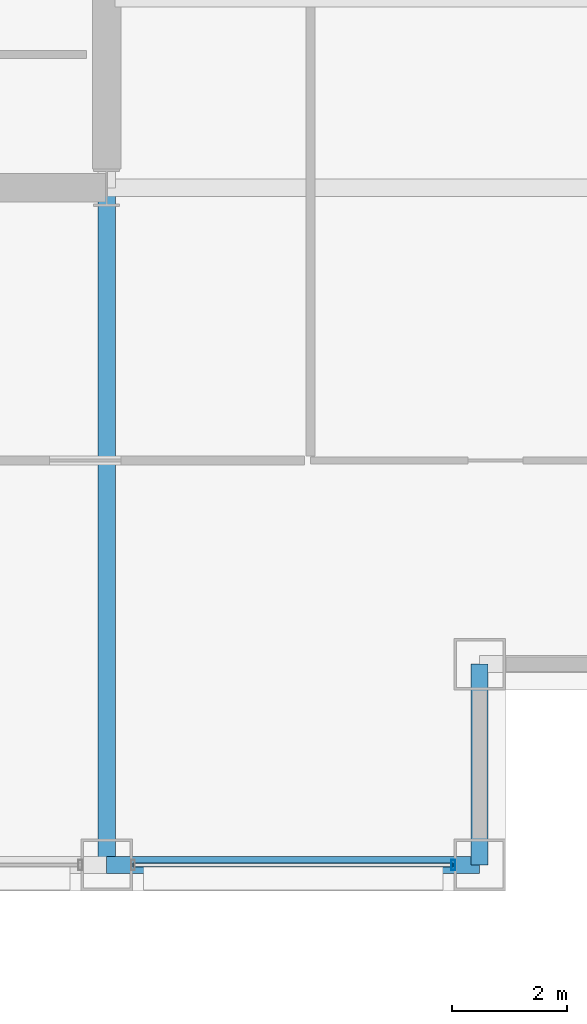
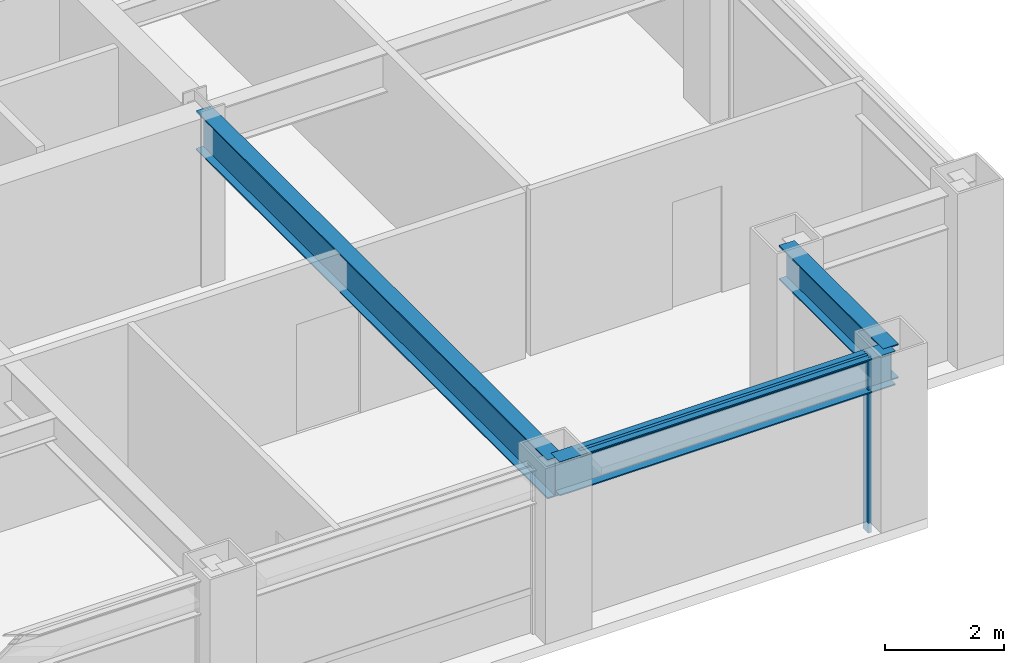
# One storey, part 10 of 30: 3 beams, 2 members, 1 element without a shape of its own.
"""IFC4 building model written with IfcOpenShell, lengths in metres."""

import ifcopenshell
import ifcopenshell.guid

model = None  # the IFC model being written
_history = None  # IfcOwnerHistory: only IFC2X3 demands one
_inside = {}  # id of a spatial element -> (the spatial element, [elements in it])
_under = {}  # id of a project, library or spatial element -> (it, [spatial elements below it])
_declared = {}  # id of a project -> (the project, [libraries it declares])
_typed = {}  # id of a type object -> (the type object, [elements of that type])
_made_of = {}  # id of a material, layer set ... -> (it, [elements and type objects made of it])


def new_model(schema):
    """Start an empty IFC model of exactly this schema.

    Asked for "IFC4X3", IfcOpenShell would pick the latest addendum, in which some entities
    have other attributes; the version numbers below select the first issue.
    IFC2X3 requires an IfcOwnerHistory on every rooted entity: one is made here for all.
    """
    global model, _history
    if schema == "IFC4X3":
        model = ifcopenshell.file(schema_version=(4, 3, 0, 0))
    else:
        model = ifcopenshell.file(schema=schema)
    _inside.clear()
    _under.clear()
    _declared.clear()
    _typed.clear()
    _made_of.clear()
    _history = None
    if model.schema == "IFC2X3":
        org = make("IfcOrganization", Name="unknown")
        user = make(
            "IfcPersonAndOrganization",
            ThePerson=make("IfcPerson", FamilyName="unknown"),
            TheOrganization=org,
        )
        app = make(
            "IfcApplication",
            ApplicationDeveloper=org,
            Version="unknown",
            ApplicationFullName="unknown",
            ApplicationIdentifier="unknown",
        )
        _history = make(
            "IfcOwnerHistory",
            OwningUser=user,
            OwningApplication=app,
            ChangeAction="ADDED",
            CreationDate=0,
        )
    return model


def make(cls, **values):
    """One entity of the class cls with the attributes given. An attribute that is None is left unset."""
    return model.create_entity(
        cls, **{name: value for name, value in values.items() if value is not None}
    )


def rooted(cls, **values):
    """An entity with a GlobalId (a new one), such as an element, a storey or a relation."""
    return make(cls, GlobalId=ifcopenshell.guid.new(), OwnerHistory=_history, **values)


def si_unit(unit_type, name, prefix=None):
    """IfcSIUnit, for example si_unit("LENGTHUNIT", "METRE", prefix="MILLI")."""
    return make("IfcSIUnit", UnitType=unit_type, Prefix=prefix, Name=name)


def assignment(units):
    """IfcUnitAssignment: the units of a project."""
    return None if units is None else make("IfcUnitAssignment", Units=units)


def point(xyz):
    """IfcCartesianPoint."""
    return None if xyz is None else make("IfcCartesianPoint", Coordinates=xyz)


def direction(xyz):
    """IfcDirection."""
    return None if xyz is None else make("IfcDirection", DirectionRatios=xyz)


def frame(location, z_axis=None, x_axis=None):
    """IfcAxis2Placement3D, a coordinate frame: its origin and axes. An axis left out is left unset."""
    return make(
        "IfcAxis2Placement3D",
        Location=point(location),
        Axis=direction(z_axis),
        RefDirection=direction(x_axis),
    )


def frame_2d(location, x_axis=None):
    """IfcAxis2Placement2D, a coordinate frame in the plane: its origin and x axis."""
    return make(
        "IfcAxis2Placement2D", Location=point(location), RefDirection=direction(x_axis)
    )


def origin():
    """The frame at (0, 0, 0) with its axes left unset."""
    return frame((0.0, 0.0, 0.0))


def origin_2d():
    """The frame at (0, 0) in the plane with its x axis left unset."""
    return frame_2d((0.0, 0.0))


def place(relative_to, where):
    """IfcLocalPlacement: puts the frame where relative to a parent placement (None: the world)."""
    return make(
        "IfcLocalPlacement", PlacementRelTo=relative_to, RelativePlacement=where
    )


def context(
    kind, dimensions, precision=None, world=None, true_north=None, identifier=None
):
    """IfcGeometricRepresentationContext, for example the 3D "Model" context."""
    return make(
        "IfcGeometricRepresentationContext",
        ContextIdentifier=identifier,
        ContextType=kind,
        CoordinateSpaceDimension=dimensions,
        Precision=precision,
        WorldCoordinateSystem=world,
        TrueNorth=true_north,
    )


def subcontext(parent, identifier, kind, view, scale=None):
    """IfcGeometricRepresentationSubContext, for example "Body" below "Model"."""
    return make(
        "IfcGeometricRepresentationSubContext",
        ContextIdentifier=identifier,
        ContextType=kind,
        ParentContext=parent,
        TargetScale=scale,
        TargetView=view,
    )


def project(units=None, contexts=None):
    """IfcProject with its units and contexts."""
    return rooted(
        "IfcProject",
        Name="project",
        RepresentationContexts=contexts,
        UnitsInContext=assignment(units),
    )


def spatial(cls, under=None, at=None, **own):
    """A site, building, storey or space (cls), placed at a placement, below another one or the project."""
    s = rooted(cls, ObjectPlacement=at, **own)
    if under is not None:
        _under.setdefault(under.id(), (under, []))[1].append(s)
    return s


def profile(cls, at=None, kind="AREA", **sizes):
    """A parametric profile (cls). Its sizes go by their IFC names, for example OverallWidth=200.0."""
    return make(cls, ProfileType=kind, Position=at, **sizes)


def hollow_rectangle(**sizes):
    """IfcRectangleHollowProfileDef."""
    return profile("IfcRectangleHollowProfileDef", **sizes)


def i_section(**sizes):
    """IfcIShapeProfileDef."""
    return profile("IfcIShapeProfileDef", **sizes)


def extrude(swept, where, along, depth):
    """IfcExtrudedAreaSolid: the profile swept, set in the frame where, extruded along a direction by depth."""
    return make(
        "IfcExtrudedAreaSolid",
        SweptArea=swept,
        Position=where,
        ExtrudedDirection=direction(along),
        Depth=depth,
    )


def shape(context_of_items, identifier, shape_type, items):
    """IfcShapeRepresentation: the items that make up one representation, for example the "Body"."""
    return make(
        "IfcShapeRepresentation",
        ContextOfItems=context_of_items,
        RepresentationIdentifier=identifier,
        RepresentationType=shape_type,
        Items=items,
    )


def material(Name=None, Category=None):
    """IfcMaterial."""
    return make("IfcMaterial", Name=Name, Category=Category)


def layer(
    of_material, thickness, ventilated=None, Name=None, Category=None, Priority=None
):
    """IfcMaterialLayer: one layer of a wall or slab, of a material (None: an air gap)."""
    return make(
        "IfcMaterialLayer",
        Material=of_material,
        LayerThickness=thickness,
        IsVentilated=ventilated,
        Name=Name,
        Category=Category,
        Priority=Priority,
    )


def layer_set(layers, Name=None):
    """IfcMaterialLayerSet."""
    return make("IfcMaterialLayerSet", MaterialLayers=layers, LayerSetName=Name)


def material_profile(
    of_material, cross_section, Name=None, Category=None, Priority=None
):
    """IfcMaterialProfile: a cross section and its material."""
    return make(
        "IfcMaterialProfile",
        Name=Name,
        Material=of_material,
        Profile=cross_section,
        Priority=Priority,
        Category=Category,
    )


def profile_set(profiles, Name=None, composite=None):
    """IfcMaterialProfileSet."""
    return make(
        "IfcMaterialProfileSet",
        Name=Name,
        MaterialProfiles=profiles,
        CompositeProfile=composite,
    )


def made_of(thing, what):
    """Note that an element or type object is made of a material, layer set ...; save() writes the relation."""
    if what is not None:
        _made_of.setdefault(what.id(), (what, []))[1].append(thing)
    return thing


def type_object(cls, material=None, **own):
    """A type object (cls), such as IfcWallType, which elements share."""
    return made_of(rooted(cls, **own), material)


def element(
    cls,
    number,
    at=None,
    inside=None,
    cuts=None,
    type_object=None,
    material=None,
    context=None,
    identifier="Body",
    shape_type=None,
    held_by="IfcProductDefinitionShape",
    body=None,
    shapes=None,
    **own,
):
    """One element of the class cls, such as IfcWall. Its Tag is "e" and its number.

    at: its placement. inside: the storey or other place that contains it. cuts: it is an
    opening in that element (IfcRelVoidsElement). A single representation is given by context,
    identifier, shape_type and body (its items); several are given by shapes. held_by: the class
    of the entity that holds the representations. save() writes the other relations.
    """
    e = rooted(cls, Tag="e%d" % number, ObjectPlacement=at, **own)
    if body is not None:
        shapes = [shape(context, identifier, shape_type, body)]
    if shapes is not None:
        e.Representation = make(held_by, Representations=shapes)
    if inside is not None:
        _inside.setdefault(inside.id(), (inside, []))[1].append(e)
    if cuts is not None:
        rooted(
            "IfcRelVoidsElement", RelatingBuildingElement=cuts, RelatedOpeningElement=e
        )
    if type_object is not None:
        _typed.setdefault(type_object.id(), (type_object, []))[1].append(e)
    return made_of(e, material)


def aggregate(whole, parts):
    """IfcRelAggregates: a whole, such as a stair, and the parts it consists of."""
    return rooted("IfcRelAggregates", RelatingObject=whole, RelatedObjects=parts)


def save(model, path):
    """Write the relations noted so far, then the file.

    IfcRelAggregates (storeys below a building ...), IfcRelContainedInSpatialStructure (elements
    in a storey), IfcRelDefinesByType, IfcRelAssociatesMaterial and IfcRelDeclares: one each for
    every whole, place, type object, material and project.
    """
    for whole, parts in _under.values():
        aggregate(whole, parts)
    for where, things in _inside.values():
        rooted(
            "IfcRelContainedInSpatialStructure",
            RelatedElements=things,
            RelatingStructure=where,
        )
    for kind, things in _typed.values():
        rooted("IfcRelDefinesByType", RelatedObjects=things, RelatingType=kind)
    for what, things in _made_of.values():
        rooted("IfcRelAssociatesMaterial", RelatedObjects=things, RelatingMaterial=what)
    for by, libraries in _declared.values():
        rooted("IfcRelDeclares", RelatingContext=by, RelatedDefinitions=libraries)
    model.write(path)


model = new_model("IFC4")

# Units and contexts
model_context = context("Model", 3, precision=1e-05, world=origin(), true_north=direction((0.0, 1.0)))
body_context = subcontext(model_context, "Body", "Model", "MODEL_VIEW")
ifc_project = project(units=[si_unit("LENGTHUNIT", "METRE"), si_unit("AREAUNIT", "SQUARE_METRE"), si_unit("VOLUMEUNIT", "CUBIC_METRE"), si_unit("PLANEANGLEUNIT", "RADIAN"), si_unit("MASSUNIT", "GRAM", prefix="KILO")], contexts=[model_context])

# Site, building, storey
site_placement = place(None, origin())
site = spatial("IfcSite", under=ifc_project, at=site_placement, CompositionType="ELEMENT")
building_placement = place(site_placement, origin())
building = spatial("IfcBuilding", under=site, at=building_placement, Name="Brelmoor Portico Tower", CompositionType="ELEMENT")
storey_placement = place(building_placement, frame((0.0, 0.0, 74.39990234375)))
storey = spatial("IfcBuildingStorey", under=building, at=storey_placement, Name="L19", CompositionType="ELEMENT", Elevation=74.39990234375)

# Beams
ifc_material_1 = material(Name="Steel Q355B", Category="steel")
ifc_material_profile_1 = material_profile(ifc_material_1, i_section(OverallWidth=0.300048828125, OverallDepth=0.800048828125, WebThickness=0.013916015625, FlangeThickness=0.02587890625, at=origin_2d()), Name="HN 800x300x14x26")
ifc_profile_set_1 = profile_set([ifc_material_profile_1], Name="Steel Q355B")
beam_type_1 = type_object("IfcBeamType", Name="BM-PG-800", PredefinedType="BEAM", material=ifc_profile_set_1)
beam_1_placement = place(storey_placement, frame((14.550048828125, -21.550048828125, 3.0), z_axis=(0.0, 1.0, 0.0), x_axis=(-1.0, 0.0, 0.0)))
element("IfcBeam", 1, at=beam_1_placement, inside=storey, type_object=beam_type_1, Name="L19 Primary Floor Girder PG-11", PredefinedType="BEAM", context=body_context, shape_type="SweptSolid", body=[
    extrude(i_section(OverallWidth=0.300048828125, OverallDepth=0.800048828125, WebThickness=0.013916015625, FlangeThickness=0.02587890625, at=origin_2d()), origin(), (0.0, 0.0, 1.0), 11.800048828125),
])
ifc_material_profile_2 = material_profile(ifc_material_1, i_section(OverallWidth=0.300048828125, OverallDepth=0.699951171875, WebThickness=0.012939453125, FlangeThickness=0.02392578125, at=origin_2d()), Name="HN 700x300x13x24")
ifc_profile_set_2 = profile_set([ifc_material_profile_2], Name="Steel Q355B")
beam_type_2 = type_object("IfcBeamType", Name="BM-SP-700", PredefinedType="SPANDREL", material=ifc_profile_set_2)
beam_2_placement = place(storey_placement, frame((14.550048828125, -21.550048828125, 3.050048828125), z_axis=(1.0, 0.0, 0.0), x_axis=(0.0, 1.0, 0.0)))
element("IfcBeam", 2, at=beam_2_placement, inside=storey, type_object=beam_type_2, Name="L19 Perimeter Spandrel Beam SP-05", PredefinedType="SPANDREL", context=body_context, shape_type="SweptSolid", body=[
    extrude(i_section(OverallWidth=0.300048828125, OverallDepth=0.699951171875, WebThickness=0.012939453125, FlangeThickness=0.02392578125, at=origin_2d()), origin(), (0.0, 0.0, 1.0), 6.5),
])
beam_3_placement = place(storey_placement, frame((21.050048828125, -21.550048828125, 3.050048828125), z_axis=(0.0, 1.0, 0.0), x_axis=(-1.0, 0.0, 0.0)))
element("IfcBeam", 3, at=beam_3_placement, inside=storey, type_object=beam_type_2, Name="L19 Perimeter Spandrel Beam SP-20", PredefinedType="SPANDREL", context=body_context, shape_type="SweptSolid", body=[
    extrude(i_section(OverallWidth=0.300048828125, OverallDepth=0.699951171875, WebThickness=0.012939453125, FlangeThickness=0.02392578125, at=origin_2d()), origin(), (0.0, 0.0, 1.0), 3.5),
])

# Curtain wall, members
ifc_material_2 = material(Name="Anodised Aluminium Alloy 6063-T6", Category="aluminium")
ifc_layer = layer(ifc_material_2, 0.179931640625)
ifc_layer_set = layer_set([ifc_layer], Name="Anodised Aluminium Alloy 6063-T6")
curtain_wall_type = type_object("IfcCurtainWallType", Name="CW-TOWER-Z1-XB", PredefinedType="NOTDEFINED", material=ifc_layer_set)
curtain_wall_placement = place(storey_placement, origin())
curtain_wall = element("IfcCurtainWall", 4, at=curtain_wall_placement, inside=storey, type_object=curtain_wall_type, Name="L19 Curtain Wall CW-L19-1R-4", PredefinedType="NOTDEFINED")
ifc_material_profile_3 = material_profile(ifc_material_2, hollow_rectangle(XDim=0.06494140625, YDim=0.179931640625, WallThickness=0.00390625, at=origin_2d()), Name="ALU MULLION 65x180")
ifc_profile_set_3 = profile_set([ifc_material_profile_3], Name="Anodised Aluminium Alloy 6063-T6")
member_type_1 = type_object("IfcMemberType", Name="MB-CW-MULL-180", PredefinedType="MULLION", material=ifc_profile_set_3)
member_1_placement = place(storey_placement, frame((20.590087890625, -21.550048828125, -0.199951171875), z_axis=(0.0, 0.0, 1.0), x_axis=(1.0, 0.0, 0.0)))
member_1 = element("IfcMember", 5, at=member_1_placement, type_object=member_type_1, Name="CW-L19-1R-4 Mullion 01", PredefinedType="MULLION", context=body_context, shape_type="SweptSolid", body=[
    extrude(hollow_rectangle(XDim=0.06494140625, YDim=0.179931640625, WallThickness=0.00390625, at=origin_2d()), origin(), (0.0, 0.0, 1.0), 3.60009765625),
])
ifc_material_profile_4 = material_profile(ifc_material_2, hollow_rectangle(XDim=0.06494140625, YDim=0.139892578125, WallThickness=0.00390625, at=origin_2d()), Name="ALU TRANSOM 65x140")
ifc_profile_set_4 = profile_set([ifc_material_profile_4], Name="Anodised Aluminium Alloy 6063-T6")
member_type_2 = type_object("IfcMemberType", Name="MB-CW-TRAN-140", PredefinedType="USERDEFINED", material=ifc_profile_set_4)
member_2_placement = place(storey_placement, frame((15.010009765625, -21.550048828125, 3.330078125), z_axis=(1.0, 0.0, 0.0), x_axis=(0.0, 1.0, 0.0)))
member_2 = element("IfcMember", 6, at=member_2_placement, type_object=member_type_2, Name="CW-L19-1R-4 Transom 1-00", ObjectType="TRANSOM", PredefinedType="USERDEFINED", context=body_context, shape_type="SweptSolid", body=[
    extrude(hollow_rectangle(XDim=0.06494140625, YDim=0.139892578125, WallThickness=0.00390625, at=origin_2d()), origin(), (0.0, 0.0, 1.0), 5.580078125),
])
aggregate(curtain_wall, [member_1, member_2])

save(model, "model.ifc")
